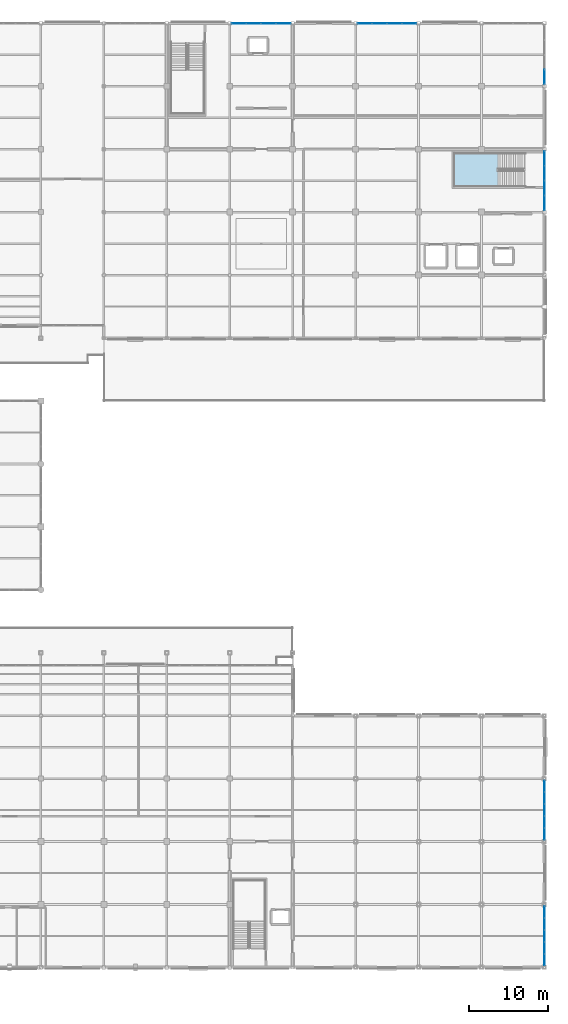
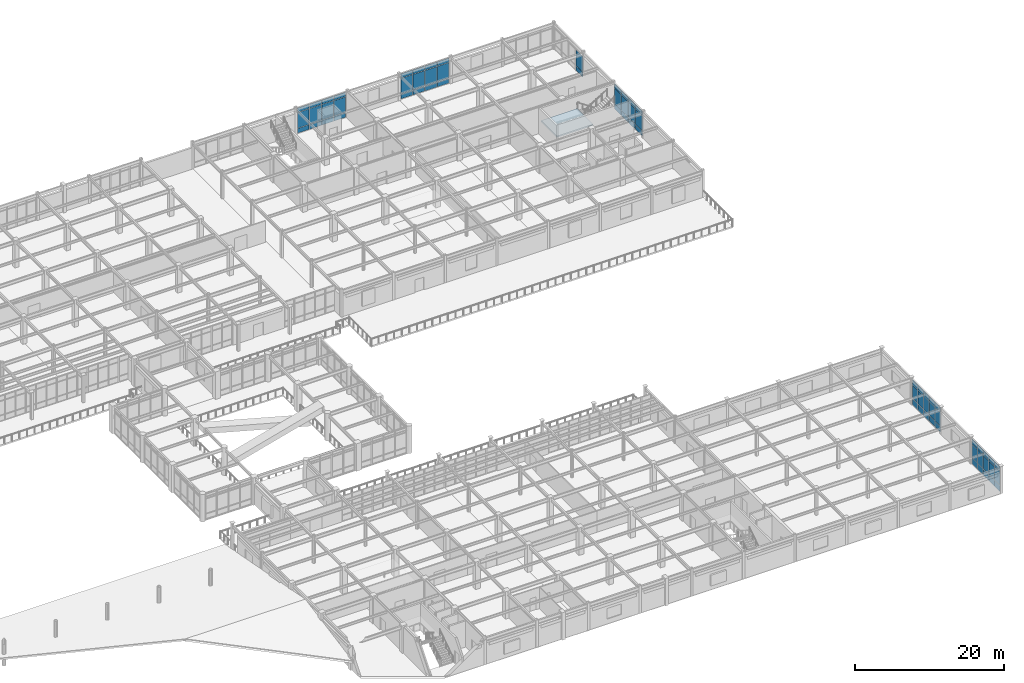
# One storey, part 80 of 111: 68 plates, 1 slab, 7 elements without a shape of their own.
"""IFC4 building model written with IfcOpenShell, lengths in metres."""

from ifc_helpers import new_model, si_unit, direction, frame, origin, origin_2d, place, context, subcontext, project, spatial, polyline, rectangle, outline, extrude, material, layer, layer_set, type_object, element, aggregate, save


model = new_model("IFC4")

# Units and contexts
model_context = context("Model", 3, precision=1e-05, world=origin(), true_north=direction((0.0, 1.0)))
body_context = subcontext(model_context, "Body", "Model", "MODEL_VIEW")
ifc_project = project(units=[si_unit("LENGTHUNIT", "METRE"), si_unit("AREAUNIT", "SQUARE_METRE"), si_unit("VOLUMEUNIT", "CUBIC_METRE"), si_unit("PLANEANGLEUNIT", "RADIAN"), si_unit("MASSUNIT", "GRAM", prefix="KILO")], contexts=[model_context])

# Site, building, storey
site_placement = place(None, origin())
site = spatial("IfcSite", under=ifc_project, at=site_placement, CompositionType="ELEMENT")
building_placement = place(site_placement, origin())
building = spatial("IfcBuilding", under=site, at=building_placement, Name="Solmirada Galleria", CompositionType="ELEMENT")
storey_placement = place(building_placement, frame((0.0, 0.0, 10.39990234375)))
storey = spatial("IfcBuildingStorey", under=building, at=storey_placement, Name="L02", CompositionType="ELEMENT", Elevation=10.39990234375)

# Curtain wall, plates
ifc_material_1 = material(Name="Impact-resistant low-E double glazing", Category="glass")
curtain_wall_type_1 = type_object("IfcCurtainWallType", Name="CW-FZ2-L02-B4-L076", PredefinedType="NOTDEFINED", material=ifc_material_1)
curtain_wall_1_placement = place(storey_placement, origin())
curtain_wall_1 = element("IfcCurtainWall", 1, at=curtain_wall_1_placement, inside=storey, type_object=curtain_wall_type_1, Name="Terrace and arcade storefront CW-L02-097", PredefinedType="NOTDEFINED")
ifc_layer_1 = layer(ifc_material_1, 0.0419921875)
ifc_layer_set_1 = layer_set([ifc_layer_1], Name="Impact-resistant low-E double glazing")
plate_type_1 = type_object("IfcPlateType", Name="CW-PNL-CW24-T42", PredefinedType="CURTAIN_PANEL", material=ifc_layer_set_1)
plate_1_placement = place(storey_placement, frame((137.169921875, 120.0, 0.06494140625), z_axis=(0.0, 0.0, 1.0), x_axis=(1.0, 0.0, 0.0)))
plate_1 = element("IfcPlate", 2, at=plate_1_placement, type_object=plate_type_1, Name="CW24 panel 1.1", PredefinedType="CURTAIN_PANEL", context=body_context, shape_type="SweptSolid", body=[
    extrude(rectangle(XDim=1.800048828125, YDim=0.0419921875, at=origin_2d()), origin(), (0.0, 0.0, 1.0), 0.762451171875),
])
plate_2_placement = place(storey_placement, frame((137.169921875, 120.0, 0.892578125), z_axis=(0.0, 0.0, 1.0), x_axis=(1.0, 0.0, 0.0)))
plate_2 = element("IfcPlate", 3, at=plate_2_placement, type_object=plate_type_1, Name="CW24 panel 1.2", PredefinedType="CURTAIN_PANEL", context=body_context, shape_type="SweptSolid", body=[
    extrude(rectangle(XDim=1.800048828125, YDim=0.0419921875, at=origin_2d()), origin(), (0.0, 0.0, 1.0), 2.52490234375),
])
plate_3_placement = place(storey_placement, frame((137.169921875, 120.0, 3.482421875), z_axis=(0.0, 0.0, 1.0), x_axis=(1.0, 0.0, 0.0)))
plate_3 = element("IfcPlate", 4, at=plate_3_placement, type_object=plate_type_1, Name="CW24 panel 1.3", PredefinedType="CURTAIN_PANEL", context=body_context, shape_type="SweptSolid", body=[
    extrude(rectangle(XDim=1.800048828125, YDim=0.0419921875, at=origin_2d()), origin(), (0.0, 0.0, 1.0), 0.672607421875),
])
plate_4_placement = place(storey_placement, frame((139.05126953125, 120.0, 0.06494140625), z_axis=(0.0, 0.0, 1.0), x_axis=(1.0, 0.0, 0.0)))
plate_4 = element("IfcPlate", 5, at=plate_4_placement, type_object=plate_type_1, Name="CW24 panel 2.1", PredefinedType="CURTAIN_PANEL", context=body_context, shape_type="SweptSolid", body=[
    extrude(rectangle(XDim=1.83251953125, YDim=0.0419921875, at=origin_2d()), origin(), (0.0, 0.0, 1.0), 0.762451171875),
])
plate_5_placement = place(storey_placement, frame((139.05126953125, 120.0, 0.892578125), z_axis=(0.0, 0.0, 1.0), x_axis=(1.0, 0.0, 0.0)))
plate_5 = element("IfcPlate", 6, at=plate_5_placement, type_object=plate_type_1, Name="CW24 panel 2.2", PredefinedType="CURTAIN_PANEL", context=body_context, shape_type="SweptSolid", body=[
    extrude(rectangle(XDim=1.83251953125, YDim=0.0419921875, at=origin_2d()), origin(), (0.0, 0.0, 1.0), 2.52490234375),
])
plate_6_placement = place(storey_placement, frame((139.05126953125, 120.0, 3.482421875), z_axis=(0.0, 0.0, 1.0), x_axis=(1.0, 0.0, 0.0)))
plate_6 = element("IfcPlate", 7, at=plate_6_placement, type_object=plate_type_1, Name="CW24 panel 2.3", PredefinedType="CURTAIN_PANEL", context=body_context, shape_type="SweptSolid", body=[
    extrude(rectangle(XDim=1.83251953125, YDim=0.0419921875, at=origin_2d()), origin(), (0.0, 0.0, 1.0), 0.672607421875),
])
plate_7_placement = place(storey_placement, frame((140.94873046875, 120.0, 0.06494140625), z_axis=(0.0, 0.0, 1.0), x_axis=(1.0, 0.0, 0.0)))
plate_7 = element("IfcPlate", 8, at=plate_7_placement, type_object=plate_type_1, Name="CW24 panel 3.1", PredefinedType="CURTAIN_PANEL", context=body_context, shape_type="SweptSolid", body=[
    extrude(rectangle(XDim=1.83251953125, YDim=0.0419921875, at=origin_2d()), origin(), (0.0, 0.0, 1.0), 0.762451171875),
])
plate_8_placement = place(storey_placement, frame((140.94873046875, 120.0, 0.892578125), z_axis=(0.0, 0.0, 1.0), x_axis=(1.0, 0.0, 0.0)))
plate_8 = element("IfcPlate", 9, at=plate_8_placement, type_object=plate_type_1, Name="CW24 panel 3.2", PredefinedType="CURTAIN_PANEL", context=body_context, shape_type="SweptSolid", body=[
    extrude(rectangle(XDim=1.83251953125, YDim=0.0419921875, at=origin_2d()), origin(), (0.0, 0.0, 1.0), 2.52490234375),
])
plate_9_placement = place(storey_placement, frame((140.94873046875, 120.0, 3.482421875), z_axis=(0.0, 0.0, 1.0), x_axis=(1.0, 0.0, 0.0)))
plate_9 = element("IfcPlate", 10, at=plate_9_placement, type_object=plate_type_1, Name="CW24 panel 3.3", PredefinedType="CURTAIN_PANEL", context=body_context, shape_type="SweptSolid", body=[
    extrude(rectangle(XDim=1.83251953125, YDim=0.0419921875, at=origin_2d()), origin(), (0.0, 0.0, 1.0), 0.672607421875),
])
plate_10_placement = place(storey_placement, frame((142.830078125, 120.0, 0.06494140625), z_axis=(0.0, 0.0, 1.0), x_axis=(1.0, 0.0, 0.0)))
plate_10 = element("IfcPlate", 11, at=plate_10_placement, type_object=plate_type_1, Name="CW24 panel 4.1", PredefinedType="CURTAIN_PANEL", context=body_context, shape_type="SweptSolid", body=[
    extrude(rectangle(XDim=1.800048828125, YDim=0.0419921875, at=origin_2d()), origin(), (0.0, 0.0, 1.0), 0.762451171875),
])
plate_11_placement = place(storey_placement, frame((142.830078125, 120.0, 0.892578125), z_axis=(0.0, 0.0, 1.0), x_axis=(1.0, 0.0, 0.0)))
plate_11 = element("IfcPlate", 12, at=plate_11_placement, type_object=plate_type_1, Name="CW24 panel 4.2", PredefinedType="CURTAIN_PANEL", context=body_context, shape_type="SweptSolid", body=[
    extrude(rectangle(XDim=1.800048828125, YDim=0.0419921875, at=origin_2d()), origin(), (0.0, 0.0, 1.0), 2.52490234375),
])
plate_12_placement = place(storey_placement, frame((142.830078125, 120.0, 3.482421875), z_axis=(0.0, 0.0, 1.0), x_axis=(1.0, 0.0, 0.0)))
plate_12 = element("IfcPlate", 13, at=plate_12_placement, type_object=plate_type_1, Name="CW24 panel 4.3", PredefinedType="CURTAIN_PANEL", context=body_context, shape_type="SweptSolid", body=[
    extrude(rectangle(XDim=1.800048828125, YDim=0.0419921875, at=origin_2d()), origin(), (0.0, 0.0, 1.0), 0.672607421875),
])
aggregate(curtain_wall_1, [plate_1, plate_2, plate_3, plate_4, plate_5, plate_6, plate_7, plate_8, plate_9, plate_10, plate_11, plate_12])

curtain_wall_2_placement = place(storey_placement, origin())
curtain_wall_2 = element("IfcCurtainWall", 14, at=curtain_wall_2_placement, inside=storey, type_object=curtain_wall_type_1, Name="Terrace and arcade storefront CW-L02-098", PredefinedType="NOTDEFINED")
plate_13_placement = place(storey_placement, frame((153.169921875, 120.0, 0.06494140625), z_axis=(0.0, 0.0, 1.0), x_axis=(1.0, 0.0, 0.0)))
plate_13 = element("IfcPlate", 15, at=plate_13_placement, type_object=plate_type_1, Name="CW24 panel 1.1", PredefinedType="CURTAIN_PANEL", context=body_context, shape_type="SweptSolid", body=[
    extrude(rectangle(XDim=1.800048828125, YDim=0.0419921875, at=origin_2d()), origin(), (0.0, 0.0, 1.0), 0.762451171875),
])
plate_14_placement = place(storey_placement, frame((153.169921875, 120.0, 0.892578125), z_axis=(0.0, 0.0, 1.0), x_axis=(1.0, 0.0, 0.0)))
plate_14 = element("IfcPlate", 16, at=plate_14_placement, type_object=plate_type_1, Name="CW24 panel 1.2", PredefinedType="CURTAIN_PANEL", context=body_context, shape_type="SweptSolid", body=[
    extrude(rectangle(XDim=1.800048828125, YDim=0.0419921875, at=origin_2d()), origin(), (0.0, 0.0, 1.0), 2.52490234375),
])
plate_15_placement = place(storey_placement, frame((153.169921875, 120.0, 3.482421875), z_axis=(0.0, 0.0, 1.0), x_axis=(1.0, 0.0, 0.0)))
plate_15 = element("IfcPlate", 17, at=plate_15_placement, type_object=plate_type_1, Name="CW24 panel 1.3", PredefinedType="CURTAIN_PANEL", context=body_context, shape_type="SweptSolid", body=[
    extrude(rectangle(XDim=1.800048828125, YDim=0.0419921875, at=origin_2d()), origin(), (0.0, 0.0, 1.0), 0.672607421875),
])
plate_16_placement = place(storey_placement, frame((155.05126953125, 120.0, 0.06494140625), z_axis=(0.0, 0.0, 1.0), x_axis=(1.0, 0.0, 0.0)))
plate_16 = element("IfcPlate", 18, at=plate_16_placement, type_object=plate_type_1, Name="CW24 panel 2.1", PredefinedType="CURTAIN_PANEL", context=body_context, shape_type="SweptSolid", body=[
    extrude(rectangle(XDim=1.83251953125, YDim=0.0419921875, at=origin_2d()), origin(), (0.0, 0.0, 1.0), 0.762451171875),
])
plate_17_placement = place(storey_placement, frame((155.05126953125, 120.0, 0.892578125), z_axis=(0.0, 0.0, 1.0), x_axis=(1.0, 0.0, 0.0)))
plate_17 = element("IfcPlate", 19, at=plate_17_placement, type_object=plate_type_1, Name="CW24 panel 2.2", PredefinedType="CURTAIN_PANEL", context=body_context, shape_type="SweptSolid", body=[
    extrude(rectangle(XDim=1.83251953125, YDim=0.0419921875, at=origin_2d()), origin(), (0.0, 0.0, 1.0), 2.52490234375),
])
plate_18_placement = place(storey_placement, frame((155.05126953125, 120.0, 3.482421875), z_axis=(0.0, 0.0, 1.0), x_axis=(1.0, 0.0, 0.0)))
plate_18 = element("IfcPlate", 20, at=plate_18_placement, type_object=plate_type_1, Name="CW24 panel 2.3", PredefinedType="CURTAIN_PANEL", context=body_context, shape_type="SweptSolid", body=[
    extrude(rectangle(XDim=1.83251953125, YDim=0.0419921875, at=origin_2d()), origin(), (0.0, 0.0, 1.0), 0.672607421875),
])
plate_19_placement = place(storey_placement, frame((156.94873046875, 120.0, 0.06494140625), z_axis=(0.0, 0.0, 1.0), x_axis=(1.0, 0.0, 0.0)))
plate_19 = element("IfcPlate", 21, at=plate_19_placement, type_object=plate_type_1, Name="CW24 panel 3.1", PredefinedType="CURTAIN_PANEL", context=body_context, shape_type="SweptSolid", body=[
    extrude(rectangle(XDim=1.83251953125, YDim=0.0419921875, at=origin_2d()), origin(), (0.0, 0.0, 1.0), 0.762451171875),
])
plate_20_placement = place(storey_placement, frame((156.94873046875, 120.0, 0.892578125), z_axis=(0.0, 0.0, 1.0), x_axis=(1.0, 0.0, 0.0)))
plate_20 = element("IfcPlate", 22, at=plate_20_placement, type_object=plate_type_1, Name="CW24 panel 3.2", PredefinedType="CURTAIN_PANEL", context=body_context, shape_type="SweptSolid", body=[
    extrude(rectangle(XDim=1.83251953125, YDim=0.0419921875, at=origin_2d()), origin(), (0.0, 0.0, 1.0), 2.52490234375),
])
plate_21_placement = place(storey_placement, frame((156.94873046875, 120.0, 3.482421875), z_axis=(0.0, 0.0, 1.0), x_axis=(1.0, 0.0, 0.0)))
plate_21 = element("IfcPlate", 23, at=plate_21_placement, type_object=plate_type_1, Name="CW24 panel 3.3", PredefinedType="CURTAIN_PANEL", context=body_context, shape_type="SweptSolid", body=[
    extrude(rectangle(XDim=1.83251953125, YDim=0.0419921875, at=origin_2d()), origin(), (0.0, 0.0, 1.0), 0.672607421875),
])
plate_22_placement = place(storey_placement, frame((158.830078125, 120.0, 0.06494140625), z_axis=(0.0, 0.0, 1.0), x_axis=(1.0, 0.0, 0.0)))
plate_22 = element("IfcPlate", 24, at=plate_22_placement, type_object=plate_type_1, Name="CW24 panel 4.1", PredefinedType="CURTAIN_PANEL", context=body_context, shape_type="SweptSolid", body=[
    extrude(rectangle(XDim=1.800048828125, YDim=0.0419921875, at=origin_2d()), origin(), (0.0, 0.0, 1.0), 0.762451171875),
])
plate_23_placement = place(storey_placement, frame((158.830078125, 120.0, 0.892578125), z_axis=(0.0, 0.0, 1.0), x_axis=(1.0, 0.0, 0.0)))
plate_23 = element("IfcPlate", 25, at=plate_23_placement, type_object=plate_type_1, Name="CW24 panel 4.2", PredefinedType="CURTAIN_PANEL", context=body_context, shape_type="SweptSolid", body=[
    extrude(rectangle(XDim=1.800048828125, YDim=0.0419921875, at=origin_2d()), origin(), (0.0, 0.0, 1.0), 2.52490234375),
])
plate_24_placement = place(storey_placement, frame((158.830078125, 120.0, 3.482421875), z_axis=(0.0, 0.0, 1.0), x_axis=(1.0, 0.0, 0.0)))
plate_24 = element("IfcPlate", 26, at=plate_24_placement, type_object=plate_type_1, Name="CW24 panel 4.3", PredefinedType="CURTAIN_PANEL", context=body_context, shape_type="SweptSolid", body=[
    extrude(rectangle(XDim=1.800048828125, YDim=0.0419921875, at=origin_2d()), origin(), (0.0, 0.0, 1.0), 0.672607421875),
])
aggregate(curtain_wall_2, [plate_13, plate_14, plate_15, plate_16, plate_17, plate_18, plate_19, plate_20, plate_21, plate_22, plate_23, plate_24])

curtain_wall_3_placement = place(storey_placement, origin())
curtain_wall_3 = element("IfcCurtainWall", 27, at=curtain_wall_3_placement, inside=storey, type_object=curtain_wall_type_1, Name="Terrace and arcade storefront CW-L02-100", PredefinedType="NOTDEFINED")
plate_25_placement = place(storey_placement, frame((176.0, 113.169921875, 0.06494140625), z_axis=(0.0, 0.0, 1.0), x_axis=(0.0, -1.0, 0.0)))
plate_25 = element("IfcPlate", 28, at=plate_25_placement, type_object=plate_type_1, Name="CW24 panel 4.1", PredefinedType="CURTAIN_PANEL", context=body_context, shape_type="SweptSolid", body=[
    extrude(rectangle(XDim=1.800048828125, YDim=0.0419921875, at=origin_2d()), origin(), (0.0, 0.0, 1.0), 0.762451171875),
])
plate_26_placement = place(storey_placement, frame((176.0, 113.169921875, 0.892578125), z_axis=(0.0, 0.0, 1.0), x_axis=(0.0, -1.0, 0.0)))
plate_26 = element("IfcPlate", 29, at=plate_26_placement, type_object=plate_type_1, Name="CW24 panel 4.2", PredefinedType="CURTAIN_PANEL", context=body_context, shape_type="SweptSolid", body=[
    extrude(rectangle(XDim=1.800048828125, YDim=0.0419921875, at=origin_2d()), origin(), (0.0, 0.0, 1.0), 2.52490234375),
])
aggregate(curtain_wall_3, [plate_25, plate_26])

curtain_wall_4_placement = place(storey_placement, origin())
curtain_wall_4 = element("IfcCurtainWall", 30, at=curtain_wall_4_placement, inside=storey, type_object=curtain_wall_type_1, Name="Terrace and arcade storefront CW-L02-101", PredefinedType="NOTDEFINED")
plate_27_placement = place(storey_placement, frame((176.0, 102.830078125, 0.06494140625), z_axis=(0.0, 0.0, 1.0), x_axis=(0.0, -1.0, 0.0)))
plate_27 = element("IfcPlate", 31, at=plate_27_placement, type_object=plate_type_1, Name="CW24 panel 1.1", PredefinedType="CURTAIN_PANEL", context=body_context, shape_type="SweptSolid", body=[
    extrude(rectangle(XDim=1.800048828125, YDim=0.0419921875, at=origin_2d()), origin(), (0.0, 0.0, 1.0), 0.762451171875),
])
plate_28_placement = place(storey_placement, frame((176.0, 102.830078125, 0.892578125), z_axis=(0.0, 0.0, 1.0), x_axis=(0.0, -1.0, 0.0)))
plate_28 = element("IfcPlate", 32, at=plate_28_placement, type_object=plate_type_1, Name="CW24 panel 1.2", PredefinedType="CURTAIN_PANEL", context=body_context, shape_type="SweptSolid", body=[
    extrude(rectangle(XDim=1.800048828125, YDim=0.0419921875, at=origin_2d()), origin(), (0.0, 0.0, 1.0), 2.52490234375),
])
plate_29_placement = place(storey_placement, frame((176.0, 102.830078125, 3.482421875), z_axis=(0.0, 0.0, 1.0), x_axis=(0.0, -1.0, 0.0)))
plate_29 = element("IfcPlate", 33, at=plate_29_placement, type_object=plate_type_1, Name="CW24 panel 1.3", PredefinedType="CURTAIN_PANEL", context=body_context, shape_type="SweptSolid", body=[
    extrude(rectangle(XDim=1.800048828125, YDim=0.0419921875, at=origin_2d()), origin(), (0.0, 0.0, 1.0), 0.672607421875),
])
plate_30_placement = place(storey_placement, frame((176.0, 100.94873046875, 0.06494140625), z_axis=(0.0, 0.0, 1.0), x_axis=(0.0, -1.0, 0.0)))
plate_30 = element("IfcPlate", 34, at=plate_30_placement, type_object=plate_type_1, Name="CW24 panel 2.1", PredefinedType="CURTAIN_PANEL", context=body_context, shape_type="SweptSolid", body=[
    extrude(rectangle(XDim=1.83251953125, YDim=0.0419921875, at=origin_2d()), origin(), (0.0, 0.0, 1.0), 0.762451171875),
])
plate_31_placement = place(storey_placement, frame((176.0, 100.94873046875, 0.892578125), z_axis=(0.0, 0.0, 1.0), x_axis=(0.0, -1.0, 0.0)))
plate_31 = element("IfcPlate", 35, at=plate_31_placement, type_object=plate_type_1, Name="CW24 panel 2.2", PredefinedType="CURTAIN_PANEL", context=body_context, shape_type="SweptSolid", body=[
    extrude(rectangle(XDim=1.83251953125, YDim=0.0419921875, at=origin_2d()), origin(), (0.0, 0.0, 1.0), 2.52490234375),
])
plate_32_placement = place(storey_placement, frame((176.0, 100.94873046875, 3.482421875), z_axis=(0.0, 0.0, 1.0), x_axis=(0.0, -1.0, 0.0)))
plate_32 = element("IfcPlate", 36, at=plate_32_placement, type_object=plate_type_1, Name="CW24 panel 2.3", PredefinedType="CURTAIN_PANEL", context=body_context, shape_type="SweptSolid", body=[
    extrude(rectangle(XDim=1.83251953125, YDim=0.0419921875, at=origin_2d()), origin(), (0.0, 0.0, 1.0), 0.672607421875),
])
plate_33_placement = place(storey_placement, frame((176.0, 99.05126953125, 0.06494140625), z_axis=(0.0, 0.0, 1.0), x_axis=(0.0, -1.0, 0.0)))
plate_33 = element("IfcPlate", 37, at=plate_33_placement, type_object=plate_type_1, Name="CW24 panel 3.1", PredefinedType="CURTAIN_PANEL", context=body_context, shape_type="SweptSolid", body=[
    extrude(rectangle(XDim=1.83251953125, YDim=0.0419921875, at=origin_2d()), origin(), (0.0, 0.0, 1.0), 0.762451171875),
])
plate_34_placement = place(storey_placement, frame((176.0, 99.05126953125, 0.892578125), z_axis=(0.0, 0.0, 1.0), x_axis=(0.0, -1.0, 0.0)))
plate_34 = element("IfcPlate", 38, at=plate_34_placement, type_object=plate_type_1, Name="CW24 panel 3.2", PredefinedType="CURTAIN_PANEL", context=body_context, shape_type="SweptSolid", body=[
    extrude(rectangle(XDim=1.83251953125, YDim=0.0419921875, at=origin_2d()), origin(), (0.0, 0.0, 1.0), 2.52490234375),
])
plate_35_placement = place(storey_placement, frame((176.0, 99.05126953125, 3.482421875), z_axis=(0.0, 0.0, 1.0), x_axis=(0.0, -1.0, 0.0)))
plate_35 = element("IfcPlate", 39, at=plate_35_placement, type_object=plate_type_1, Name="CW24 panel 3.3", PredefinedType="CURTAIN_PANEL", context=body_context, shape_type="SweptSolid", body=[
    extrude(rectangle(XDim=1.83251953125, YDim=0.0419921875, at=origin_2d()), origin(), (0.0, 0.0, 1.0), 0.672607421875),
])
plate_36_placement = place(storey_placement, frame((176.0, 97.169921875, 0.06494140625), z_axis=(0.0, 0.0, 1.0), x_axis=(0.0, -1.0, 0.0)))
plate_36 = element("IfcPlate", 40, at=plate_36_placement, type_object=plate_type_1, Name="CW24 panel 4.1", PredefinedType="CURTAIN_PANEL", context=body_context, shape_type="SweptSolid", body=[
    extrude(rectangle(XDim=1.800048828125, YDim=0.0419921875, at=origin_2d()), origin(), (0.0, 0.0, 1.0), 0.762451171875),
])
plate_37_placement = place(storey_placement, frame((176.0, 97.169921875, 0.892578125), z_axis=(0.0, 0.0, 1.0), x_axis=(0.0, -1.0, 0.0)))
plate_37 = element("IfcPlate", 41, at=plate_37_placement, type_object=plate_type_1, Name="CW24 panel 4.2", PredefinedType="CURTAIN_PANEL", context=body_context, shape_type="SweptSolid", body=[
    extrude(rectangle(XDim=1.800048828125, YDim=0.0419921875, at=origin_2d()), origin(), (0.0, 0.0, 1.0), 2.52490234375),
])
plate_38_placement = place(storey_placement, frame((176.0, 97.169921875, 3.482421875), z_axis=(0.0, 0.0, 1.0), x_axis=(0.0, -1.0, 0.0)))
plate_38 = element("IfcPlate", 42, at=plate_38_placement, type_object=plate_type_1, Name="CW24 panel 4.3", PredefinedType="CURTAIN_PANEL", context=body_context, shape_type="SweptSolid", body=[
    extrude(rectangle(XDim=1.800048828125, YDim=0.0419921875, at=origin_2d()), origin(), (0.0, 0.0, 1.0), 0.672607421875),
])
aggregate(curtain_wall_4, [plate_27, plate_28, plate_29, plate_30, plate_31, plate_32, plate_33, plate_34, plate_35, plate_36, plate_37, plate_38])

curtain_wall_type_2 = type_object("IfcCurtainWallType", Name="CW-FZ5-L02-B5-L076", PredefinedType="NOTDEFINED", material=ifc_material_1)
curtain_wall_5_placement = place(storey_placement, origin())
curtain_wall_5 = element("IfcCurtainWall", 43, at=curtain_wall_5_placement, inside=storey, type_object=curtain_wall_type_2, Name="Terrace and arcade storefront CW-L02-116", PredefinedType="NOTDEFINED")
ifc_material_2 = material(Name="Ceramic-fritted spandrel glass", Category="glass")
ifc_layer_2 = layer(ifc_material_2, 0.028076171875)
ifc_layer_set_2 = layer_set([ifc_layer_2], Name="Ceramic-fritted spandrel glass")
plate_type_2 = type_object("IfcPlateType", Name="CW-PNL-CW26-T28", PredefinedType="CURTAIN_PANEL", material=ifc_layer_set_2)
plate_39_placement = place(storey_placement, frame((176.0, 23.039794921875, 0.065185546875), z_axis=(0.0, 0.0, 1.0), x_axis=(0.0, -1.0, 0.0)))
plate_39 = element("IfcPlate", 44, at=plate_39_placement, type_object=plate_type_2, Name="CW26 panel 1.1", PredefinedType="CURTAIN_PANEL", context=body_context, shape_type="SweptSolid", body=[
    extrude(rectangle(XDim=1.430419921875, YDim=0.028076171875, at=origin_2d()), origin(), (0.0, 0.0, 1.0), 0.9423828125),
])
plate_40_placement = place(storey_placement, frame((176.0, 23.039794921875, 1.07275390625), z_axis=(0.0, 0.0, 1.0), x_axis=(0.0, -1.0, 0.0)))
plate_40 = element("IfcPlate", 45, at=plate_40_placement, type_object=plate_type_2, Name="CW26 panel 1.2", PredefinedType="CURTAIN_PANEL", context=body_context, shape_type="SweptSolid", body=[
    extrude(rectangle(XDim=1.430419921875, YDim=0.028076171875, at=origin_2d()), origin(), (0.0, 0.0, 1.0), 2.195068359375),
])
plate_41_placement = place(storey_placement, frame((176.0, 23.039794921875, 3.33251953125), z_axis=(0.0, 0.0, 1.0), x_axis=(0.0, -1.0, 0.0)))
plate_41 = element("IfcPlate", 46, at=plate_41_placement, type_object=plate_type_2, Name="CW26 panel 1.3", PredefinedType="CURTAIN_PANEL", context=body_context, shape_type="SweptSolid", body=[
    extrude(rectangle(XDim=1.430419921875, YDim=0.028076171875, at=origin_2d()), origin(), (0.0, 0.0, 1.0), 0.822509765625),
])
plate_42_placement = place(storey_placement, frame((176.0, 21.528076171875, 0.065185546875), z_axis=(0.0, 0.0, 1.0), x_axis=(0.0, -1.0, 0.0)))
plate_42 = element("IfcPlate", 47, at=plate_42_placement, type_object=plate_type_2, Name="CW26 panel 2.1", PredefinedType="CURTAIN_PANEL", context=body_context, shape_type="SweptSolid", body=[
    extrude(rectangle(XDim=1.462890625, YDim=0.028076171875, at=origin_2d()), origin(), (0.0, 0.0, 1.0), 0.9423828125),
])
plate_43_placement = place(storey_placement, frame((176.0, 21.528076171875, 1.07275390625), z_axis=(0.0, 0.0, 1.0), x_axis=(0.0, -1.0, 0.0)))
plate_43 = element("IfcPlate", 48, at=plate_43_placement, type_object=plate_type_2, Name="CW26 panel 2.2", PredefinedType="CURTAIN_PANEL", context=body_context, shape_type="SweptSolid", body=[
    extrude(rectangle(XDim=1.462890625, YDim=0.028076171875, at=origin_2d()), origin(), (0.0, 0.0, 1.0), 2.195068359375),
])
plate_44_placement = place(storey_placement, frame((176.0, 21.528076171875, 3.33251953125), z_axis=(0.0, 0.0, 1.0), x_axis=(0.0, -1.0, 0.0)))
plate_44 = element("IfcPlate", 49, at=plate_44_placement, type_object=plate_type_2, Name="CW26 panel 2.3", PredefinedType="CURTAIN_PANEL", context=body_context, shape_type="SweptSolid", body=[
    extrude(rectangle(XDim=1.462890625, YDim=0.028076171875, at=origin_2d()), origin(), (0.0, 0.0, 1.0), 0.822509765625),
])
plate_45_placement = place(storey_placement, frame((176.0, 20.0, 0.065185546875), z_axis=(0.0, 0.0, 1.0), x_axis=(0.0, -1.0, 0.0)))
plate_45 = element("IfcPlate", 50, at=plate_45_placement, type_object=plate_type_2, Name="CW26 panel 3.1", PredefinedType="CURTAIN_PANEL", context=body_context, shape_type="SweptSolid", body=[
    extrude(rectangle(XDim=1.462890625, YDim=0.028076171875, at=origin_2d()), origin(), (0.0, 0.0, 1.0), 0.9423828125),
])
plate_46_placement = place(storey_placement, frame((176.0, 20.0, 1.07275390625), z_axis=(0.0, 0.0, 1.0), x_axis=(0.0, -1.0, 0.0)))
plate_46 = element("IfcPlate", 51, at=plate_46_placement, type_object=plate_type_2, Name="CW26 panel 3.2", PredefinedType="CURTAIN_PANEL", context=body_context, shape_type="SweptSolid", body=[
    extrude(rectangle(XDim=1.462890625, YDim=0.028076171875, at=origin_2d()), origin(), (0.0, 0.0, 1.0), 2.195068359375),
])
plate_47_placement = place(storey_placement, frame((176.0, 20.0, 3.33251953125), z_axis=(0.0, 0.0, 1.0), x_axis=(0.0, -1.0, 0.0)))
plate_47 = element("IfcPlate", 52, at=plate_47_placement, type_object=plate_type_2, Name="CW26 panel 3.3", PredefinedType="CURTAIN_PANEL", context=body_context, shape_type="SweptSolid", body=[
    extrude(rectangle(XDim=1.462890625, YDim=0.028076171875, at=origin_2d()), origin(), (0.0, 0.0, 1.0), 0.822509765625),
])
plate_48_placement = place(storey_placement, frame((176.0, 18.471923828125, 0.065185546875), z_axis=(0.0, 0.0, 1.0), x_axis=(0.0, -1.0, 0.0)))
plate_48 = element("IfcPlate", 53, at=plate_48_placement, type_object=plate_type_2, Name="CW26 panel 4.1", PredefinedType="CURTAIN_PANEL", context=body_context, shape_type="SweptSolid", body=[
    extrude(rectangle(XDim=1.462890625, YDim=0.028076171875, at=origin_2d()), origin(), (0.0, 0.0, 1.0), 0.9423828125),
])
plate_49_placement = place(storey_placement, frame((176.0, 18.471923828125, 1.07275390625), z_axis=(0.0, 0.0, 1.0), x_axis=(0.0, -1.0, 0.0)))
plate_49 = element("IfcPlate", 54, at=plate_49_placement, type_object=plate_type_2, Name="CW26 panel 4.2", PredefinedType="CURTAIN_PANEL", context=body_context, shape_type="SweptSolid", body=[
    extrude(rectangle(XDim=1.462890625, YDim=0.028076171875, at=origin_2d()), origin(), (0.0, 0.0, 1.0), 2.195068359375),
])
plate_50_placement = place(storey_placement, frame((176.0, 18.471923828125, 3.33251953125), z_axis=(0.0, 0.0, 1.0), x_axis=(0.0, -1.0, 0.0)))
plate_50 = element("IfcPlate", 55, at=plate_50_placement, type_object=plate_type_2, Name="CW26 panel 4.3", PredefinedType="CURTAIN_PANEL", context=body_context, shape_type="SweptSolid", body=[
    extrude(rectangle(XDim=1.462890625, YDim=0.028076171875, at=origin_2d()), origin(), (0.0, 0.0, 1.0), 0.822509765625),
])
plate_51_placement = place(storey_placement, frame((176.0, 16.960205078125, 0.065185546875), z_axis=(0.0, 0.0, 1.0), x_axis=(0.0, -1.0, 0.0)))
plate_51 = element("IfcPlate", 56, at=plate_51_placement, type_object=plate_type_2, Name="CW26 panel 5.1", PredefinedType="CURTAIN_PANEL", context=body_context, shape_type="SweptSolid", body=[
    extrude(rectangle(XDim=1.430419921875, YDim=0.028076171875, at=origin_2d()), origin(), (0.0, 0.0, 1.0), 0.9423828125),
])
plate_52_placement = place(storey_placement, frame((176.0, 16.960205078125, 1.07275390625), z_axis=(0.0, 0.0, 1.0), x_axis=(0.0, -1.0, 0.0)))
plate_52 = element("IfcPlate", 57, at=plate_52_placement, type_object=plate_type_2, Name="CW26 panel 5.2", PredefinedType="CURTAIN_PANEL", context=body_context, shape_type="SweptSolid", body=[
    extrude(rectangle(XDim=1.430419921875, YDim=0.028076171875, at=origin_2d()), origin(), (0.0, 0.0, 1.0), 2.195068359375),
])
plate_53_placement = place(storey_placement, frame((176.0, 16.960205078125, 3.33251953125), z_axis=(0.0, 0.0, 1.0), x_axis=(0.0, -1.0, 0.0)))
plate_53 = element("IfcPlate", 58, at=plate_53_placement, type_object=plate_type_2, Name="CW26 panel 5.3", PredefinedType="CURTAIN_PANEL", context=body_context, shape_type="SweptSolid", body=[
    extrude(rectangle(XDim=1.430419921875, YDim=0.028076171875, at=origin_2d()), origin(), (0.0, 0.0, 1.0), 0.822509765625),
])
aggregate(curtain_wall_5, [plate_39, plate_40, plate_41, plate_42, plate_43, plate_44, plate_45, plate_46, plate_47, plate_48, plate_49, plate_50, plate_51, plate_52, plate_53])

curtain_wall_6_placement = place(storey_placement, origin())
curtain_wall_6 = element("IfcCurtainWall", 59, at=curtain_wall_6_placement, inside=storey, type_object=curtain_wall_type_2, Name="Terrace and arcade storefront CW-L02-117", PredefinedType="NOTDEFINED")
plate_54_placement = place(storey_placement, frame((176.0, 7.039794921875, 0.065185546875), z_axis=(0.0, 0.0, 1.0), x_axis=(0.0, -1.0, 0.0)))
plate_54 = element("IfcPlate", 60, at=plate_54_placement, type_object=plate_type_2, Name="CW26 panel 1.1", PredefinedType="CURTAIN_PANEL", context=body_context, shape_type="SweptSolid", body=[
    extrude(rectangle(XDim=1.430419921875, YDim=0.028076171875, at=origin_2d()), origin(), (0.0, 0.0, 1.0), 0.9423828125),
])
plate_55_placement = place(storey_placement, frame((176.0, 7.039794921875, 1.07275390625), z_axis=(0.0, 0.0, 1.0), x_axis=(0.0, -1.0, 0.0)))
plate_55 = element("IfcPlate", 61, at=plate_55_placement, type_object=plate_type_2, Name="CW26 panel 1.2", PredefinedType="CURTAIN_PANEL", context=body_context, shape_type="SweptSolid", body=[
    extrude(rectangle(XDim=1.430419921875, YDim=0.028076171875, at=origin_2d()), origin(), (0.0, 0.0, 1.0), 2.195068359375),
])
plate_56_placement = place(storey_placement, frame((176.0, 7.039794921875, 3.33251953125), z_axis=(0.0, 0.0, 1.0), x_axis=(0.0, -1.0, 0.0)))
plate_56 = element("IfcPlate", 62, at=plate_56_placement, type_object=plate_type_2, Name="CW26 panel 1.3", PredefinedType="CURTAIN_PANEL", context=body_context, shape_type="SweptSolid", body=[
    extrude(rectangle(XDim=1.430419921875, YDim=0.028076171875, at=origin_2d()), origin(), (0.0, 0.0, 1.0), 0.822509765625),
])
plate_57_placement = place(storey_placement, frame((176.0, 5.528076171875, 0.065185546875), z_axis=(0.0, 0.0, 1.0), x_axis=(0.0, -1.0, 0.0)))
plate_57 = element("IfcPlate", 63, at=plate_57_placement, type_object=plate_type_2, Name="CW26 panel 2.1", PredefinedType="CURTAIN_PANEL", context=body_context, shape_type="SweptSolid", body=[
    extrude(rectangle(XDim=1.462890625, YDim=0.028076171875, at=origin_2d()), origin(), (0.0, 0.0, 1.0), 0.9423828125),
])
plate_58_placement = place(storey_placement, frame((176.0, 5.528076171875, 1.07275390625), z_axis=(0.0, 0.0, 1.0), x_axis=(0.0, -1.0, 0.0)))
plate_58 = element("IfcPlate", 64, at=plate_58_placement, type_object=plate_type_2, Name="CW26 panel 2.2", PredefinedType="CURTAIN_PANEL", context=body_context, shape_type="SweptSolid", body=[
    extrude(rectangle(XDim=1.462890625, YDim=0.028076171875, at=origin_2d()), origin(), (0.0, 0.0, 1.0), 2.195068359375),
])
plate_59_placement = place(storey_placement, frame((176.0, 5.528076171875, 3.33251953125), z_axis=(0.0, 0.0, 1.0), x_axis=(0.0, -1.0, 0.0)))
plate_59 = element("IfcPlate", 65, at=plate_59_placement, type_object=plate_type_2, Name="CW26 panel 2.3", PredefinedType="CURTAIN_PANEL", context=body_context, shape_type="SweptSolid", body=[
    extrude(rectangle(XDim=1.462890625, YDim=0.028076171875, at=origin_2d()), origin(), (0.0, 0.0, 1.0), 0.822509765625),
])
plate_60_placement = place(storey_placement, frame((176.0, 4.0, 0.065185546875), z_axis=(0.0, 0.0, 1.0), x_axis=(0.0, -1.0, 0.0)))
plate_60 = element("IfcPlate", 66, at=plate_60_placement, type_object=plate_type_2, Name="CW26 panel 3.1", PredefinedType="CURTAIN_PANEL", context=body_context, shape_type="SweptSolid", body=[
    extrude(rectangle(XDim=1.462890625, YDim=0.028076171875, at=origin_2d()), origin(), (0.0, 0.0, 1.0), 0.9423828125),
])
plate_61_placement = place(storey_placement, frame((176.0, 4.0, 1.07275390625), z_axis=(0.0, 0.0, 1.0), x_axis=(0.0, -1.0, 0.0)))
plate_61 = element("IfcPlate", 67, at=plate_61_placement, type_object=plate_type_2, Name="CW26 panel 3.2", PredefinedType="CURTAIN_PANEL", context=body_context, shape_type="SweptSolid", body=[
    extrude(rectangle(XDim=1.462890625, YDim=0.028076171875, at=origin_2d()), origin(), (0.0, 0.0, 1.0), 2.195068359375),
])
plate_62_placement = place(storey_placement, frame((176.0, 4.0, 3.33251953125), z_axis=(0.0, 0.0, 1.0), x_axis=(0.0, -1.0, 0.0)))
plate_62 = element("IfcPlate", 68, at=plate_62_placement, type_object=plate_type_2, Name="CW26 panel 3.3", PredefinedType="CURTAIN_PANEL", context=body_context, shape_type="SweptSolid", body=[
    extrude(rectangle(XDim=1.462890625, YDim=0.028076171875, at=origin_2d()), origin(), (0.0, 0.0, 1.0), 0.822509765625),
])
plate_63_placement = place(storey_placement, frame((176.0, 2.471923828125, 0.065185546875), z_axis=(0.0, 0.0, 1.0), x_axis=(0.0, -1.0, 0.0)))
plate_63 = element("IfcPlate", 69, at=plate_63_placement, type_object=plate_type_2, Name="CW26 panel 4.1", PredefinedType="CURTAIN_PANEL", context=body_context, shape_type="SweptSolid", body=[
    extrude(rectangle(XDim=1.462890625, YDim=0.028076171875, at=origin_2d()), origin(), (0.0, 0.0, 1.0), 0.9423828125),
])
plate_64_placement = place(storey_placement, frame((176.0, 2.471923828125, 1.07275390625), z_axis=(0.0, 0.0, 1.0), x_axis=(0.0, -1.0, 0.0)))
plate_64 = element("IfcPlate", 70, at=plate_64_placement, type_object=plate_type_2, Name="CW26 panel 4.2", PredefinedType="CURTAIN_PANEL", context=body_context, shape_type="SweptSolid", body=[
    extrude(rectangle(XDim=1.462890625, YDim=0.028076171875, at=origin_2d()), origin(), (0.0, 0.0, 1.0), 2.195068359375),
])
plate_65_placement = place(storey_placement, frame((176.0, 2.471923828125, 3.33251953125), z_axis=(0.0, 0.0, 1.0), x_axis=(0.0, -1.0, 0.0)))
plate_65 = element("IfcPlate", 71, at=plate_65_placement, type_object=plate_type_2, Name="CW26 panel 4.3", PredefinedType="CURTAIN_PANEL", context=body_context, shape_type="SweptSolid", body=[
    extrude(rectangle(XDim=1.462890625, YDim=0.028076171875, at=origin_2d()), origin(), (0.0, 0.0, 1.0), 0.822509765625),
])
plate_66_placement = place(storey_placement, frame((176.0, 0.960205078125, 0.065185546875), z_axis=(0.0, 0.0, 1.0), x_axis=(0.0, -1.0, 0.0)))
plate_66 = element("IfcPlate", 72, at=plate_66_placement, type_object=plate_type_2, Name="CW26 panel 5.1", PredefinedType="CURTAIN_PANEL", context=body_context, shape_type="SweptSolid", body=[
    extrude(rectangle(XDim=1.430419921875, YDim=0.028076171875, at=origin_2d()), origin(), (0.0, 0.0, 1.0), 0.9423828125),
])
plate_67_placement = place(storey_placement, frame((176.0, 0.960205078125, 1.07275390625), z_axis=(0.0, 0.0, 1.0), x_axis=(0.0, -1.0, 0.0)))
plate_67 = element("IfcPlate", 73, at=plate_67_placement, type_object=plate_type_2, Name="CW26 panel 5.2", PredefinedType="CURTAIN_PANEL", context=body_context, shape_type="SweptSolid", body=[
    extrude(rectangle(XDim=1.430419921875, YDim=0.028076171875, at=origin_2d()), origin(), (0.0, 0.0, 1.0), 2.195068359375),
])
plate_68_placement = place(storey_placement, frame((176.0, 0.960205078125, 3.33251953125), z_axis=(0.0, 0.0, 1.0), x_axis=(0.0, -1.0, 0.0)))
plate_68 = element("IfcPlate", 74, at=plate_68_placement, type_object=plate_type_2, Name="CW26 panel 5.3", PredefinedType="CURTAIN_PANEL", context=body_context, shape_type="SweptSolid", body=[
    extrude(rectangle(XDim=1.430419921875, YDim=0.028076171875, at=origin_2d()), origin(), (0.0, 0.0, 1.0), 0.822509765625),
])
aggregate(curtain_wall_6, [plate_54, plate_55, plate_56, plate_57, plate_58, plate_59, plate_60, plate_61, plate_62, plate_63, plate_64, plate_65, plate_66, plate_67, plate_68])

# Stair, slab
ifc_material_3 = material(Name="Concrete C35/45", Category="concrete")
stair_type = type_object("IfcStairType", Name="STR-DOG-205-H45", PredefinedType="HALF_TURN_STAIR", material=ifc_material_3)
stair_placement = place(storey_placement, origin())
stair = element("IfcStair", 75, at=stair_placement, inside=storey, type_object=stair_type, Name="L02 East Avenue High-Rise and Freight Core Exit Stair ST4", PredefinedType="HALF_TURN_STAIR")
ifc_layer_3 = layer(ifc_material_3, 0.199951171875)
ifc_layer_set_3 = layer_set([ifc_layer_3], Name="Concrete C35/45")
slab_type = type_object("IfcSlabType", Name="SLB-LAND-200", PredefinedType="LANDING", material=ifc_layer_set_3)
slab_placement = place(storey_placement, frame((0.0, 0.0, 2.050048828125)))
slab = element("IfcSlab", 76, at=slab_placement, type_object=slab_type, Name="ST4 landing 1", PredefinedType="LANDING", context=body_context, shape_type="SweptSolid", body=[
    extrude(outline(polyline([(170.090087890625, 103.5), (164.5, 103.5), (164.5, 99.25), (170.090087890625, 99.25), (170.090087890625, 103.5)])), origin(), (0.0, 0.0, 1.0), 0.199951171875),
])
aggregate(stair, [slab])

save(model, "model.ifc")
